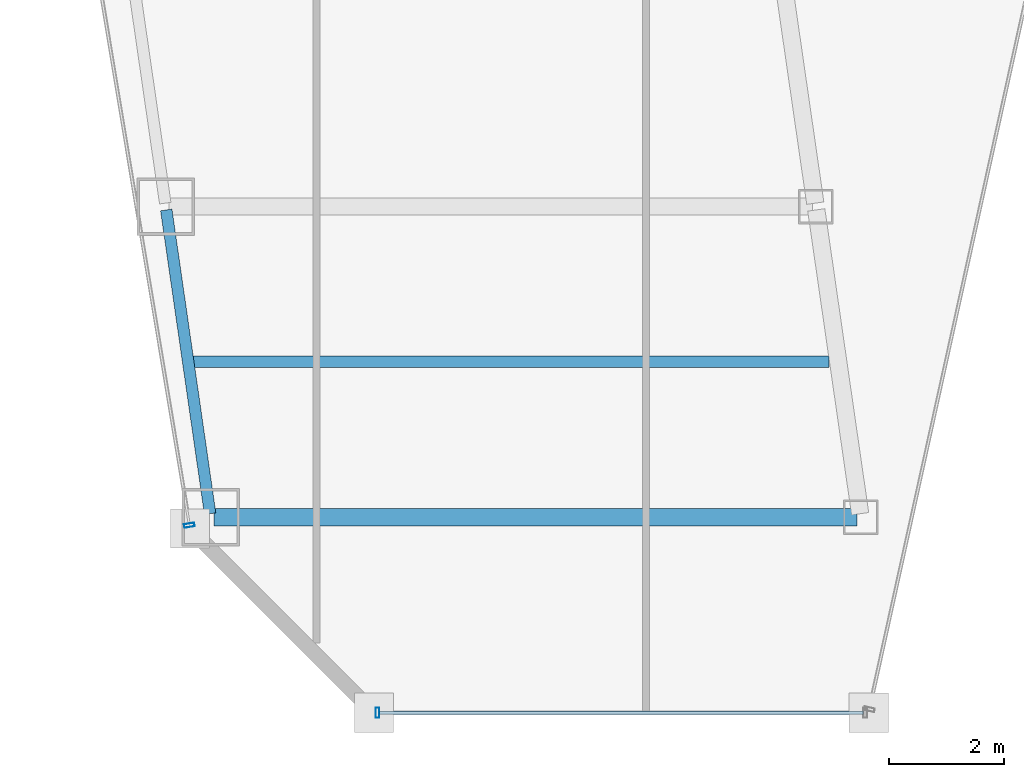
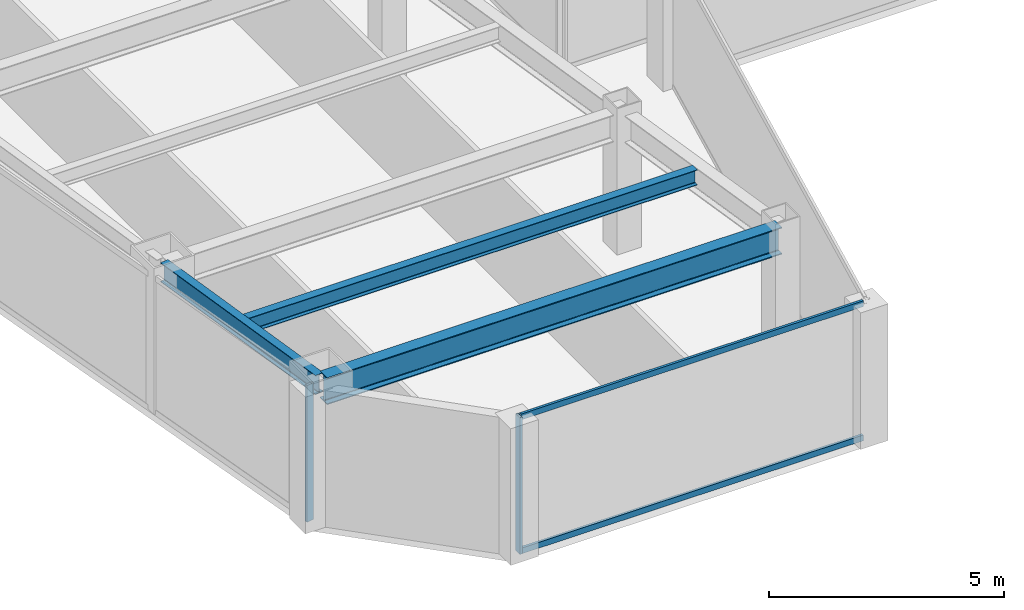
# One storey, part 2 of 38: 4 members, 3 beams, 2 elements without a shape of their own.
"""IFC4 building model written with IfcOpenShell, lengths in metres."""

from ifc_helpers import new_model, si_unit, direction, frame, origin, origin_2d, place, context, subcontext, project, spatial, hollow_rectangle, i_section, extrude, material, material_profile, profile_set, type_object, element, aggregate, save


model = new_model("IFC4")

# Units and contexts
model_context = context("Model", 3, precision=1e-05, world=origin(), true_north=direction((0.0, 1.0)))
body_context = subcontext(model_context, "Body", "Model", "MODEL_VIEW")
ifc_project = project(units=[si_unit("LENGTHUNIT", "METRE"), si_unit("AREAUNIT", "SQUARE_METRE"), si_unit("VOLUMEUNIT", "CUBIC_METRE"), si_unit("PLANEANGLEUNIT", "RADIAN"), si_unit("MASSUNIT", "GRAM", prefix="KILO")], contexts=[model_context])

# Site, building, storey
site_placement = place(None, origin())
site = spatial("IfcSite", under=ifc_project, at=site_placement, CompositionType="ELEMENT")
building_placement = place(site_placement, origin())
building = spatial("IfcBuilding", under=site, at=building_placement, Name="Saevonmaru Cultural Tower", CompositionType="ELEMENT")
storey_placement = place(building_placement, frame((0.0, 0.0, 133.39990234375)))
storey = spatial("IfcBuildingStorey", under=building, at=storey_placement, Name="L28", CompositionType="ELEMENT", Elevation=133.39990234375)

# Beams
ifc_material_1 = material(Name="Steel SM355", Category="steel")
ifc_material_profile_1 = material_profile(ifc_material_1, i_section(OverallWidth=0.300048828125, OverallDepth=0.699951171875, WebThickness=0.012939453125, FlangeThickness=0.02392578125, FilletRadius=0.02587890625, at=origin_2d()), Name="H-700x300x13x24")
ifc_profile_set_1 = profile_set([ifc_material_profile_1], Name="Steel SM355")
beam_type_1 = type_object("IfcBeamType", Name="BM-G-H700", PredefinedType="BEAM", material=ifc_profile_set_1)
beam_1_placement = place(storey_placement, frame((11.468017578125, 10.60009765625, 3.2001953125), z_axis=(1.0, 0.0, 0.0), x_axis=(0.0, 1.0, 0.0)))
element("IfcBeam", 1, at=beam_1_placement, inside=storey, type_object=beam_type_1, Name="L28 West Wing Transverse Girder 1", PredefinedType="BEAM", context=body_context, shape_type="SweptSolid", body=[
    extrude(i_section(OverallWidth=0.300048828125, OverallDepth=0.699951171875, WebThickness=0.012939453125, FlangeThickness=0.02392578125, FilletRadius=0.02587890625, at=origin_2d()), origin(), (0.0, 0.0, 1.0), 11.179931640625),
])
ifc_material_profile_2 = material_profile(ifc_material_1, i_section(OverallWidth=0.199951171875, OverallDepth=0.39990234375, WebThickness=0.008056640625, FlangeThickness=0.012939453125, FilletRadius=0.01611328125, at=origin_2d()), Name="H-400x200x8x13")
ifc_profile_set_2 = profile_set([ifc_material_profile_2], Name="Steel SM355")
beam_type_2 = type_object("IfcBeamType", Name="BM-J-H400", PredefinedType="JOIST", material=ifc_profile_set_2)
beam_2_placement = place(storey_placement, frame((11.077880859375, 13.300048828125, 3.35009765625), z_axis=(1.0, 0.0, 0.0), x_axis=(0.0, 1.0, 0.0)))
element("IfcBeam", 2, at=beam_2_placement, inside=storey, type_object=beam_type_2, Name="L28 West Wing Floor Joist 1", PredefinedType="JOIST", context=body_context, shape_type="SweptSolid", body=[
    extrude(i_section(OverallWidth=0.199951171875, OverallDepth=0.39990234375, WebThickness=0.008056640625, FlangeThickness=0.012939453125, FilletRadius=0.01611328125, at=origin_2d()), origin(), (0.0, 0.0, 1.0), 11.08203125),
])
ifc_material_profile_3 = material_profile(ifc_material_1, i_section(OverallWidth=0.199951171875, OverallDepth=0.5, WebThickness=0.010009765625, FlangeThickness=0.01611328125, FilletRadius=0.02001953125, at=origin_2d()), Name="H-500x200x10x16")
ifc_profile_set_3 = profile_set([ifc_material_profile_3], Name="Steel SM355")
beam_type_3 = type_object("IfcBeamType", Name="BM-SP-H500", PredefinedType="SPANDREL", material=ifc_profile_set_3)
beam_3_placement = place(storey_placement, frame((11.3994140625, 10.659423828125, 3.300048828125), z_axis=(-0.1429328758, 0.989732384544, 0.0), x_axis=(-0.989732384544, -0.1429328758, 0.0)))
element("IfcBeam", 3, at=beam_3_placement, inside=storey, type_object=beam_type_3, Name="L28 West Splayed Spandrel 1", PredefinedType="SPANDREL", context=body_context, shape_type="SweptSolid", body=[
    extrude(i_section(OverallWidth=0.199951171875, OverallDepth=0.5, WebThickness=0.010009765625, FlangeThickness=0.01611328125, FilletRadius=0.02001953125, at=origin_2d()), origin(), (0.0, 0.0, 1.0), 5.3359375),
])

# Curtain wall, member
ifc_material_2 = material(Name="Satin Bronze Anodised Aluminium", Category="aluminium")
curtain_wall_type = type_object("IfcCurtainWallType", Name="CW-TYP-A", PredefinedType="NOTDEFINED", material=ifc_material_2)
curtain_wall_1_placement = place(storey_placement, origin())
curtain_wall_1 = element("IfcCurtainWall", 4, at=curtain_wall_1_placement, inside=storey, type_object=curtain_wall_type, Name="L28 Unitised Curtain Wall E2", PredefinedType="NOTDEFINED")
ifc_material_profile_4 = material_profile(ifc_material_2, hollow_rectangle(XDim=0.06494140625, YDim=0.179931640625, WallThickness=0.00390625, at=origin_2d()), Name="ALU-MULL-180x65x4")
ifc_profile_set_4 = profile_set([ifc_material_profile_4], Name="Satin Bronze Anodised Aluminium")
member_type_1 = type_object("IfcMemberType", Name="ML-CW-180x65", PredefinedType="MULLION", material=ifc_profile_set_4)
member_1_placement = place(storey_placement, frame((14.308837890625, 7.199951171875, 0.0), z_axis=(0.0, 0.0, 1.0), x_axis=(1.0, 0.0, 0.0)))
member_1 = element("IfcMember", 5, at=member_1_placement, type_object=member_type_1, Name="CW-TW-L28-E2 mullion 1", PredefinedType="MULLION", context=body_context, shape_type="SweptSolid", body=[
    extrude(hollow_rectangle(XDim=0.06494140625, YDim=0.179931640625, WallThickness=0.00390625, at=origin_2d()), origin(), (0.0, 0.0, 1.0), 3.550048828125),
])

curtain_wall_2_placement = place(storey_placement, origin())
curtain_wall_2 = element("IfcCurtainWall", 6, at=curtain_wall_2_placement, inside=storey, type_object=curtain_wall_type, Name="L28 Unitised Curtain Wall E12", PredefinedType="NOTDEFINED")
member_2_placement = place(storey_placement, frame((11.0390625, 10.459228515625, 0.0), z_axis=(0.0, 0.0, 1.0), x_axis=(0.163998702345, -0.986460554523, 0.0)))
member_2 = element("IfcMember", 7, at=member_2_placement, type_object=member_type_1, Name="CW-TW-L28-E12 mullion 5", PredefinedType="MULLION", context=body_context, shape_type="SweptSolid", body=[
    extrude(hollow_rectangle(XDim=0.06494140625, YDim=0.179931640625, WallThickness=0.00390625, at=origin_2d()), origin(), (0.0, 0.0, 1.0), 3.550048828125),
])
aggregate(curtain_wall_2, [member_2])

# Member
ifc_material_profile_5 = material_profile(ifc_material_2, hollow_rectangle(XDim=0.06494140625, YDim=0.14990234375, WallThickness=0.00390625, at=origin_2d()), Name="ALU-TRAN-150x65x4")
ifc_profile_set_5 = profile_set([ifc_material_profile_5], Name="Satin Bronze Anodised Aluminium")
member_type_2 = type_object("IfcMemberType", Name="TR-CW-150x65", PredefinedType="USERDEFINED", material=ifc_profile_set_5)
member_3_placement = place(storey_placement, frame((14.34130859375, 7.199951171875, 0.03271484375), z_axis=(1.0, 0.0, 0.0), x_axis=(0.0, 1.0, 0.0)))
member_3 = element("IfcMember", 8, at=member_3_placement, type_object=member_type_2, Name="CW-TW-L28-E2 transom 1.1", ObjectType="TRANSOM", PredefinedType="USERDEFINED", context=body_context, shape_type="SweptSolid", body=[
    extrude(hollow_rectangle(XDim=0.06494140625, YDim=0.14990234375, WallThickness=0.00390625, at=origin_2d()), origin(), (0.0, 0.0, 1.0), 8.4150390625),
])

member_4_placement = place(storey_placement, frame((14.34130859375, 7.199951171875, 3.517578125), z_axis=(1.0, 0.0, 0.0), x_axis=(0.0, 1.0, 0.0)))
member_4 = element("IfcMember", 9, at=member_4_placement, type_object=member_type_2, Name="CW-TW-L28-E2 transom 1.2", ObjectType="TRANSOM", PredefinedType="USERDEFINED", context=body_context, shape_type="SweptSolid", body=[
    extrude(hollow_rectangle(XDim=0.06494140625, YDim=0.14990234375, WallThickness=0.00390625, at=origin_2d()), origin(), (0.0, 0.0, 1.0), 8.4150390625),
])

aggregate(curtain_wall_1, [member_1, member_3, member_4])

save(model, "model.ifc")
